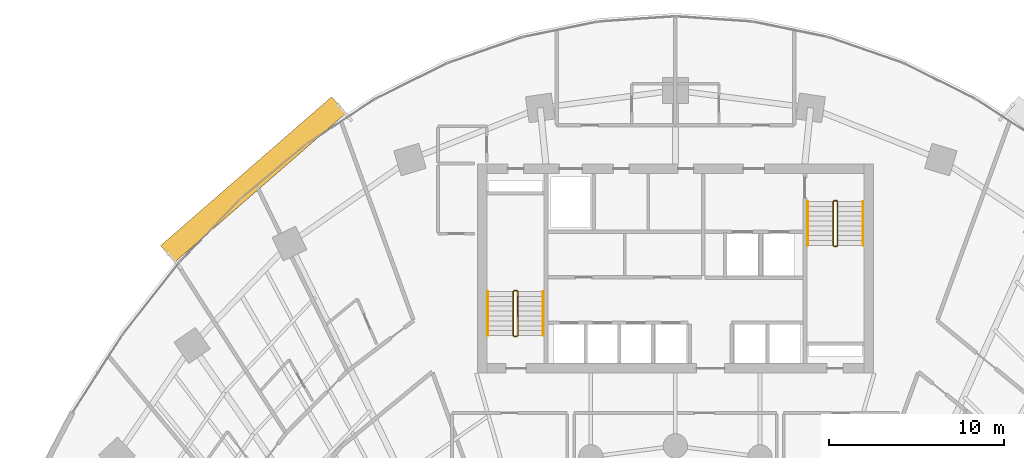
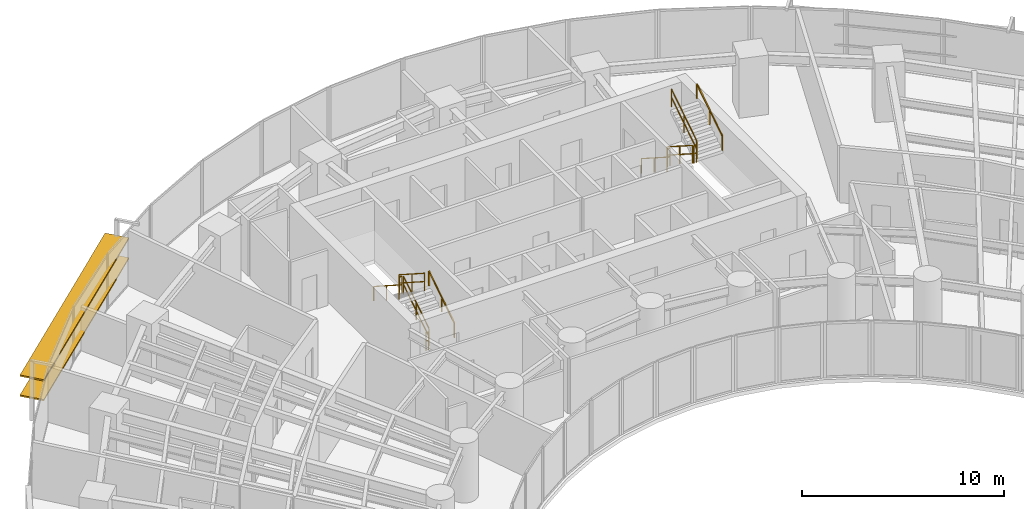
# One storey, part 16 of 17: 12 railings, 2 shading devices.
"""IFC4 building model written with IfcOpenShell, lengths in metres."""

from ifc_helpers import new_model, si_unit, direction, frame, origin, origin_2d, place, context, subcontext, project, spatial, rectangle, extrude, source, transform, mapped, material, material_profile, profile_set, type_object, type_shapes, element, save


model = new_model("IFC4")

# Units and contexts
model_context = context("Model", 3, precision=1e-05, world=origin(), true_north=direction((0.0, 1.0)))
body_context = subcontext(model_context, "Body", "Model", "MODEL_VIEW")
ifc_project = project(units=[si_unit("LENGTHUNIT", "METRE"), si_unit("AREAUNIT", "SQUARE_METRE"), si_unit("VOLUMEUNIT", "CUBIC_METRE"), si_unit("PLANEANGLEUNIT", "RADIAN"), si_unit("MASSUNIT", "GRAM", prefix="KILO")], contexts=[model_context])

# Site, building, storey
site_placement = place(None, origin())
site = spatial("IfcSite", under=ifc_project, at=site_placement, CompositionType="ELEMENT")
building_placement = place(site_placement, origin())
building = spatial("IfcBuilding", under=site, at=building_placement, Name="Breltana Convention Tower", CompositionType="ELEMENT")
storey_placement = place(building_placement, frame((0.0, 0.0, 75.0)))
storey = spatial("IfcBuildingStorey", under=building, at=storey_placement, Name="L17", CompositionType="ELEMENT", Elevation=75.0)

# Railings
ifc_material_1 = material(Name="Steel S275 Painted", Category="steel")
railing_type_1 = type_object("IfcRailingType", Name="RL-STAIR-GUARD-1100", PredefinedType="GUARDRAIL", material=ifc_material_1)
railing_1_placement = place(storey_placement, frame((38.9599609375, 62.360107421875, 0.179931640625)))
element("IfcRailing", 1, at=railing_1_placement, inside=storey, type_object=railing_type_1, Name="L17 ST-1 stair guard 1", PredefinedType="GUARDRAIL", context=body_context, shape_type="SweptSolid", body=[
    extrude(rectangle(XDim=0.048095703125, YDim=0.048095703125, at=origin_2d()), frame((0.0, 0.0, 1.076171875), z_axis=(0.0, 0.841138753965, 0.540819375188), x_axis=(-1.0, 0.0, 0.0)), (0.0, 0.0, 1.0), 2.99560546875),
    extrude(rectangle(XDim=0.048095703125, YDim=0.048095703125, at=origin_2d()), frame((0.0, 0.0, 0.572021484375), z_axis=(0.0, 0.841138753965, 0.540819375188), x_axis=(-1.0, 0.0, 0.0)), (0.0, 0.0, 1.0), 2.99560546875),
    extrude(rectangle(XDim=0.0419921875, YDim=0.0419921875, at=origin_2d()), origin(), (0.0, 0.0, 1.0), 1.052001953125),
    extrude(rectangle(XDim=0.0419921875, YDim=0.0419921875, at=origin_2d()), frame((0.0, 1.259765625, 0.81005859375)), (0.0, 0.0, 1.0), 1.052001953125),
    extrude(rectangle(XDim=0.0419921875, YDim=0.0419921875, at=origin_2d()), frame((0.0, 2.519775390625, 1.6201171875)), (0.0, 0.0, 1.0), 1.052001953125),
])
railing_2_placement = place(storey_placement, frame((38.909912109375, 64.929931640625, 1.800048828125)))
element("IfcRailing", 2, at=railing_2_placement, inside=storey, type_object=railing_type_1, Name="L17 ST-1 stair guard 2", PredefinedType="GUARDRAIL", context=body_context, shape_type="SweptSolid", body=[
    extrude(rectangle(XDim=0.048095703125, YDim=0.048095703125, at=origin_2d()), frame((0.0, 0.0, 1.076171875), z_axis=(-1.0, 0.0, 0.0), x_axis=(0.0, -1.0, 0.0)), (0.0, 0.0, 1.0), 0.14990234375),
    extrude(rectangle(XDim=0.048095703125, YDim=0.048095703125, at=origin_2d()), frame((0.0, 0.0, 0.572021484375), z_axis=(-1.0, 0.0, 0.0), x_axis=(0.0, -1.0, 0.0)), (0.0, 0.0, 1.0), 0.14990234375),
    extrude(rectangle(XDim=0.0419921875, YDim=0.0419921875, at=origin_2d()), origin(), (0.0, 0.0, 1.0), 1.052001953125),
    extrude(rectangle(XDim=0.0419921875, YDim=0.0419921875, at=origin_2d()), frame((-0.14990234375, 0.0, 0.0)), (0.0, 0.0, 1.0), 1.052001953125),
])
railing_3_placement = place(storey_placement, frame((38.7099609375, 64.8798828125, 1.97998046875)))
element("IfcRailing", 3, at=railing_3_placement, inside=storey, type_object=railing_type_1, Name="L17 ST-1 stair guard 3", PredefinedType="GUARDRAIL", context=body_context, shape_type="SweptSolid", body=[
    extrude(rectangle(XDim=0.048095703125, YDim=0.048095703125, at=origin_2d()), frame((0.0, 0.0, 1.076171875), z_axis=(0.0, -0.841138753965, 0.540819375188), x_axis=(1.0, 0.0, 0.0)), (0.0, 0.0, 1.0), 2.99560546875),
    extrude(rectangle(XDim=0.048095703125, YDim=0.048095703125, at=origin_2d()), frame((0.0, 0.0, 0.572021484375), z_axis=(0.0, -0.841138753965, 0.540819375188), x_axis=(1.0, 0.0, 0.0)), (0.0, 0.0, 1.0), 2.99560546875),
    extrude(rectangle(XDim=0.0419921875, YDim=0.0419921875, at=origin_2d()), origin(), (0.0, 0.0, 1.0), 1.052001953125),
    extrude(rectangle(XDim=0.0419921875, YDim=0.0419921875, at=origin_2d()), frame((0.0, -1.259765625, 0.81005859375)), (0.0, 0.0, 1.0), 1.052001953125),
    extrude(rectangle(XDim=0.0419921875, YDim=0.0419921875, at=origin_2d()), frame((0.0, -2.519775390625, 1.6201171875)), (0.0, 0.0, 1.0), 1.052001953125),
])
railing_4_placement = place(storey_placement, frame((38.909912109375, 62.31005859375, 0.0)))
element("IfcRailing", 4, at=railing_4_placement, inside=storey, type_object=railing_type_1, Name="L17 ST-1 stair guard 4", PredefinedType="GUARDRAIL", context=body_context, shape_type="SweptSolid", body=[
    extrude(rectangle(XDim=0.048095703125, YDim=0.048095703125, at=origin_2d()), frame((0.0, 0.0, 1.076171875), z_axis=(-1.0, 0.0, 0.0), x_axis=(0.0, -1.0, 0.0)), (0.0, 0.0, 1.0), 0.14990234375),
    extrude(rectangle(XDim=0.048095703125, YDim=0.048095703125, at=origin_2d()), frame((0.0, 0.0, 0.572021484375), z_axis=(-1.0, 0.0, 0.0), x_axis=(0.0, -1.0, 0.0)), (0.0, 0.0, 1.0), 0.14990234375),
    extrude(rectangle(XDim=0.0419921875, YDim=0.0419921875, at=origin_2d()), origin(), (0.0, 0.0, 1.0), 1.052001953125),
    extrude(rectangle(XDim=0.0419921875, YDim=0.0419921875, at=origin_2d()), frame((-0.14990234375, 0.0, 0.0)), (0.0, 0.0, 1.0), 1.052001953125),
])
railing_5_placement = place(storey_placement, frame((57.0400390625, 70.0400390625, 0.179931640625)))
element("IfcRailing", 5, at=railing_5_placement, inside=storey, type_object=railing_type_1, Name="L17 ST-2 stair guard 1", PredefinedType="GUARDRAIL", context=body_context, shape_type="SweptSolid", body=[
    extrude(rectangle(XDim=0.048095703125, YDim=0.048095703125, at=origin_2d()), frame((0.0, 0.0, 1.076171875), z_axis=(0.0, -0.841162588446, 0.540782303519), x_axis=(1.0, 0.0, 0.0)), (0.0, 0.0, 1.0), 2.995849609375),
    extrude(rectangle(XDim=0.048095703125, YDim=0.048095703125, at=origin_2d()), frame((0.0, 0.0, 0.572021484375), z_axis=(0.0, -0.841162588446, 0.540782303519), x_axis=(1.0, 0.0, 0.0)), (0.0, 0.0, 1.0), 2.995849609375),
    extrude(rectangle(XDim=0.0419921875, YDim=0.0419921875, at=origin_2d()), origin(), (0.0, 0.0, 1.0), 1.052001953125),
    extrude(rectangle(XDim=0.0419921875, YDim=0.0419921875, at=origin_2d()), frame((0.0, -1.260009765625, 0.81005859375)), (0.0, 0.0, 1.0), 1.052001953125),
    extrude(rectangle(XDim=0.0419921875, YDim=0.0419921875, at=origin_2d()), frame((0.0, -2.52001953125, 1.6201171875)), (0.0, 0.0, 1.0), 1.052001953125),
])
railing_6_placement = place(storey_placement, frame((57.090087890625, 67.469970703125, 1.800048828125)))
element("IfcRailing", 6, at=railing_6_placement, inside=storey, type_object=railing_type_1, Name="L17 ST-2 stair guard 2", PredefinedType="GUARDRAIL", context=body_context, shape_type="SweptSolid", body=[
    extrude(rectangle(XDim=0.048095703125, YDim=0.048095703125, at=origin_2d()), frame((0.0, 0.0, 1.076171875), z_axis=(1.0, 0.0, 0.0), x_axis=(0.0, 1.0, 0.0)), (0.0, 0.0, 1.0), 0.14990234375),
    extrude(rectangle(XDim=0.048095703125, YDim=0.048095703125, at=origin_2d()), frame((0.0, 0.0, 0.572021484375), z_axis=(1.0, 0.0, 0.0), x_axis=(0.0, 1.0, 0.0)), (0.0, 0.0, 1.0), 0.14990234375),
    extrude(rectangle(XDim=0.0419921875, YDim=0.0419921875, at=origin_2d()), origin(), (0.0, 0.0, 1.0), 1.052001953125),
    extrude(rectangle(XDim=0.0419921875, YDim=0.0419921875, at=origin_2d()), frame((0.14990234375, 0.0, 0.0)), (0.0, 0.0, 1.0), 1.052001953125),
])
railing_7_placement = place(storey_placement, frame((57.2900390625, 67.52001953125, 1.97998046875)))
element("IfcRailing", 7, at=railing_7_placement, inside=storey, type_object=railing_type_1, Name="L17 ST-2 stair guard 3", PredefinedType="GUARDRAIL", context=body_context, shape_type="SweptSolid", body=[
    extrude(rectangle(XDim=0.048095703125, YDim=0.048095703125, at=origin_2d()), frame((0.0, 0.0, 1.076171875), z_axis=(0.0, 0.841162588446, 0.540782303519), x_axis=(-1.0, 0.0, 0.0)), (0.0, 0.0, 1.0), 2.995849609375),
    extrude(rectangle(XDim=0.048095703125, YDim=0.048095703125, at=origin_2d()), frame((0.0, 0.0, 0.572021484375), z_axis=(0.0, 0.841162588446, 0.540782303519), x_axis=(-1.0, 0.0, 0.0)), (0.0, 0.0, 1.0), 2.995849609375),
    extrude(rectangle(XDim=0.0419921875, YDim=0.0419921875, at=origin_2d()), origin(), (0.0, 0.0, 1.0), 1.052001953125),
    extrude(rectangle(XDim=0.0419921875, YDim=0.0419921875, at=origin_2d()), frame((0.0, 1.260009765625, 0.81005859375)), (0.0, 0.0, 1.0), 1.052001953125),
    extrude(rectangle(XDim=0.0419921875, YDim=0.0419921875, at=origin_2d()), frame((0.0, 2.52001953125, 1.6201171875)), (0.0, 0.0, 1.0), 1.052001953125),
])
railing_8_placement = place(storey_placement, frame((57.090087890625, 70.090087890625, 0.0)))
element("IfcRailing", 8, at=railing_8_placement, inside=storey, type_object=railing_type_1, Name="L17 ST-2 stair guard 4", PredefinedType="GUARDRAIL", context=body_context, shape_type="SweptSolid", body=[
    extrude(rectangle(XDim=0.048095703125, YDim=0.048095703125, at=origin_2d()), frame((0.0, 0.0, 1.076171875), z_axis=(1.0, 0.0, 0.0), x_axis=(0.0, 1.0, 0.0)), (0.0, 0.0, 1.0), 0.14990234375),
    extrude(rectangle(XDim=0.048095703125, YDim=0.048095703125, at=origin_2d()), frame((0.0, 0.0, 0.572021484375), z_axis=(1.0, 0.0, 0.0), x_axis=(0.0, 1.0, 0.0)), (0.0, 0.0, 1.0), 0.14990234375),
    extrude(rectangle(XDim=0.0419921875, YDim=0.0419921875, at=origin_2d()), origin(), (0.0, 0.0, 1.0), 1.052001953125),
    extrude(rectangle(XDim=0.0419921875, YDim=0.0419921875, at=origin_2d()), frame((0.14990234375, 0.0, 0.0)), (0.0, 0.0, 1.0), 1.052001953125),
])
ifc_material_2 = material(Name="Stainless Steel 316L", Category="steel")
railing_type_2 = type_object("IfcRailingType", Name="RL-STAIR-HANDRAIL-900", PredefinedType="HANDRAIL", material=ifc_material_2)
railing_9_placement = place(storey_placement, frame((40.419921875, 62.360107421875, 0.179931640625)))
element("IfcRailing", 9, at=railing_9_placement, inside=storey, type_object=railing_type_2, Name="L17 ST-1 stair handrail 1", PredefinedType="HANDRAIL", context=body_context, shape_type="SweptSolid", body=[
    extrude(rectangle(XDim=0.048095703125, YDim=0.048095703125, at=origin_2d()), frame((0.0, 0.0, 0.8759765625), z_axis=(0.0, 0.841138753965, 0.540819375188), x_axis=(-1.0, 0.0, 0.0)), (0.0, 0.0, 1.0), 2.99560546875),
    extrude(rectangle(XDim=0.0419921875, YDim=0.0419921875, at=origin_2d()), origin(), (0.0, 0.0, 1.0), 0.851806640625),
    extrude(rectangle(XDim=0.0419921875, YDim=0.0419921875, at=origin_2d()), frame((0.0, 1.259765625, 0.81005859375)), (0.0, 0.0, 1.0), 0.851806640625),
    extrude(rectangle(XDim=0.0419921875, YDim=0.0419921875, at=origin_2d()), frame((0.0, 2.519775390625, 1.6201171875)), (0.0, 0.0, 1.0), 0.851806640625),
])
railing_10_placement = place(storey_placement, frame((37.25, 64.8798828125, 1.97998046875)))
element("IfcRailing", 10, at=railing_10_placement, inside=storey, type_object=railing_type_2, Name="L17 ST-1 stair handrail 2", PredefinedType="HANDRAIL", context=body_context, shape_type="SweptSolid", body=[
    extrude(rectangle(XDim=0.048095703125, YDim=0.048095703125, at=origin_2d()), frame((0.0, 0.0, 0.8759765625), z_axis=(0.0, -0.841138753965, 0.540819375188), x_axis=(1.0, 0.0, 0.0)), (0.0, 0.0, 1.0), 2.99560546875),
    extrude(rectangle(XDim=0.0419921875, YDim=0.0419921875, at=origin_2d()), origin(), (0.0, 0.0, 1.0), 0.851806640625),
    extrude(rectangle(XDim=0.0419921875, YDim=0.0419921875, at=origin_2d()), frame((0.0, -1.259765625, 0.81005859375)), (0.0, 0.0, 1.0), 0.851806640625),
    extrude(rectangle(XDim=0.0419921875, YDim=0.0419921875, at=origin_2d()), frame((0.0, -2.519775390625, 1.6201171875)), (0.0, 0.0, 1.0), 0.851806640625),
])
railing_11_placement = place(storey_placement, frame((55.580078125, 70.0400390625, 0.179931640625)))
element("IfcRailing", 11, at=railing_11_placement, inside=storey, type_object=railing_type_2, Name="L17 ST-2 stair handrail 1", PredefinedType="HANDRAIL", context=body_context, shape_type="SweptSolid", body=[
    extrude(rectangle(XDim=0.048095703125, YDim=0.048095703125, at=origin_2d()), frame((0.0, 0.0, 0.8759765625), z_axis=(0.0, -0.841162588446, 0.540782303519), x_axis=(1.0, 0.0, 0.0)), (0.0, 0.0, 1.0), 2.995849609375),
    extrude(rectangle(XDim=0.0419921875, YDim=0.0419921875, at=origin_2d()), origin(), (0.0, 0.0, 1.0), 0.851806640625),
    extrude(rectangle(XDim=0.0419921875, YDim=0.0419921875, at=origin_2d()), frame((0.0, -1.260009765625, 0.81005859375)), (0.0, 0.0, 1.0), 0.851806640625),
    extrude(rectangle(XDim=0.0419921875, YDim=0.0419921875, at=origin_2d()), frame((0.0, -2.52001953125, 1.6201171875)), (0.0, 0.0, 1.0), 0.851806640625),
])
railing_12_placement = place(storey_placement, frame((58.75, 67.52001953125, 1.97998046875)))
element("IfcRailing", 12, at=railing_12_placement, inside=storey, type_object=railing_type_2, Name="L17 ST-2 stair handrail 2", PredefinedType="HANDRAIL", context=body_context, shape_type="SweptSolid", body=[
    extrude(rectangle(XDim=0.048095703125, YDim=0.048095703125, at=origin_2d()), frame((0.0, 0.0, 0.8759765625), z_axis=(0.0, 0.841162588446, 0.540782303519), x_axis=(-1.0, 0.0, 0.0)), (0.0, 0.0, 1.0), 2.995849609375),
    extrude(rectangle(XDim=0.0419921875, YDim=0.0419921875, at=origin_2d()), origin(), (0.0, 0.0, 1.0), 0.851806640625),
    extrude(rectangle(XDim=0.0419921875, YDim=0.0419921875, at=origin_2d()), frame((0.0, 1.260009765625, 0.81005859375)), (0.0, 0.0, 1.0), 0.851806640625),
    extrude(rectangle(XDim=0.0419921875, YDim=0.0419921875, at=origin_2d()), frame((0.0, 2.52001953125, 1.6201171875)), (0.0, 0.0, 1.0), 0.851806640625),
])

# Shading devices
ifc_material_3 = material(Name="Limestone Warm Buff Honed", Category="masonry")
ifc_material_profile = material_profile(ifc_material_3, rectangle(XDim=1.25, YDim=0.090087890625, at=origin_2d()), Name="STN-LVR-1250X90")
ifc_profile_set = profile_set([ifc_material_profile], Name="Limestone Warm Buff Honed")
shading_device_type = type_object("IfcShadingDeviceType", Name="SHD-OUTER-SKIN-LIMESTONE-1250", PredefinedType="JALOUSIE", material=ifc_profile_set)
shared_shape = source(origin(), body_context, "Body", "SweptSolid", [
    extrude(rectangle(XDim=1.25, YDim=0.090087890625, at=origin_2d()), origin(), (0.0, 0.0, 1.0), 12.99462890625),
])
type_shapes(shading_device_type, [shared_shape])
for number, where, z_axis, x_axis, name in (
    (13, (18.9130859375, 67.039794921875, 1.209716796875), (0.754353477941, 0.656468453407, 0.0), (-0.656468453407, 0.754353477941, 0.0), "L17 outer skin warm limestone louvre 1.1"),
    (14, (18.9130859375, 67.039794921875, 2.419189453125), (0.754353477941, 0.656468453407, 0.0), (-0.656468453407, 0.754353477941, 0.0), "L17 outer skin warm limestone louvre 1.2"),
):
    element("IfcShadingDevice", number, at=place(storey_placement, frame(where, z_axis=z_axis, x_axis=x_axis)), inside=storey, type_object=shading_device_type, Name=name, PredefinedType="JALOUSIE", context=body_context, shape_type="MappedRepresentation", body=[
        mapped(shared_shape, transform((0.0, 0.0, 0.0), scale=1.0)),
    ])

save(model, "model.ifc")
